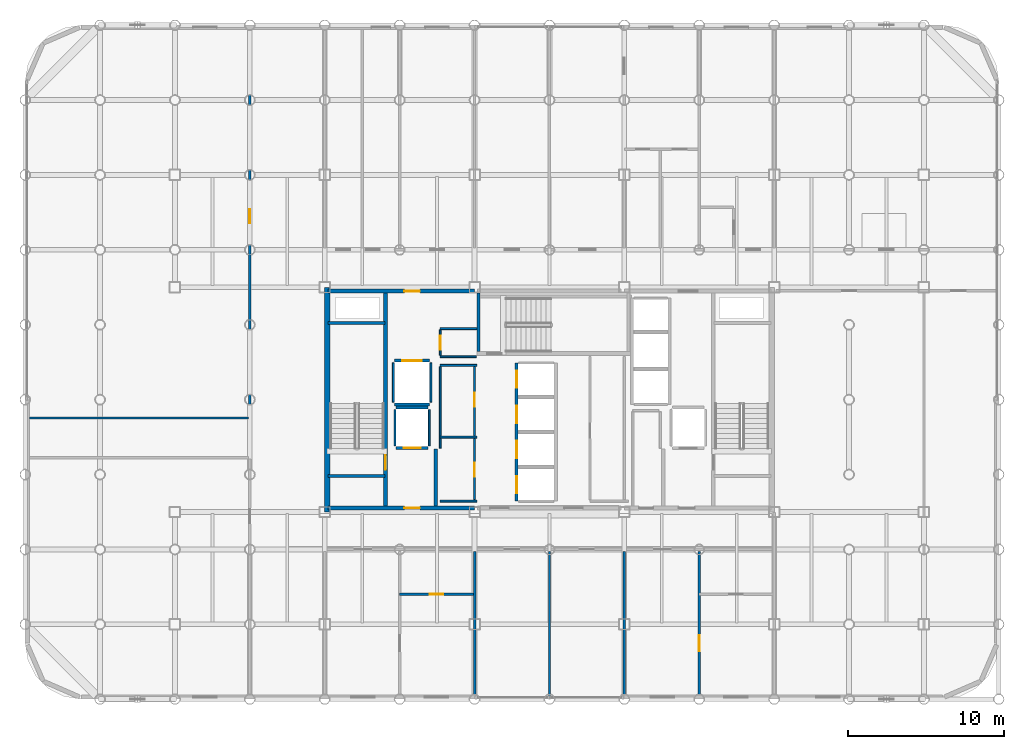
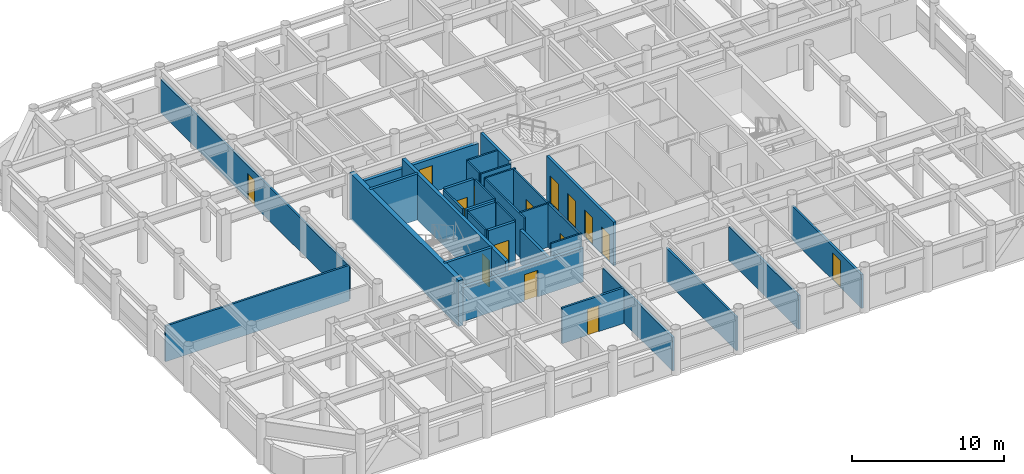
# One storey, part 16 of 21: 32 walls, 15 doors, 15 openings.
"""IFC4 building model written with IfcOpenShell, lengths in metres."""

import ifcopenshell
import ifcopenshell.guid

model = None  # the IFC model being written
_history = None  # IfcOwnerHistory: only IFC2X3 demands one
_inside = {}  # id of a spatial element -> (the spatial element, [elements in it])
_under = {}  # id of a project, library or spatial element -> (it, [spatial elements below it])
_declared = {}  # id of a project -> (the project, [libraries it declares])
_typed = {}  # id of a type object -> (the type object, [elements of that type])
_made_of = {}  # id of a material, layer set ... -> (it, [elements and type objects made of it])


def new_model(schema):
    """Start an empty IFC model of exactly this schema.

    Asked for "IFC4X3", IfcOpenShell would pick the latest addendum, in which some entities
    have other attributes; the version numbers below select the first issue.
    IFC2X3 requires an IfcOwnerHistory on every rooted entity: one is made here for all.
    """
    global model, _history
    if schema == "IFC4X3":
        model = ifcopenshell.file(schema_version=(4, 3, 0, 0))
    else:
        model = ifcopenshell.file(schema=schema)
    _inside.clear()
    _under.clear()
    _declared.clear()
    _typed.clear()
    _made_of.clear()
    _history = None
    if model.schema == "IFC2X3":
        org = make("IfcOrganization", Name="unknown")
        user = make(
            "IfcPersonAndOrganization",
            ThePerson=make("IfcPerson", FamilyName="unknown"),
            TheOrganization=org,
        )
        app = make(
            "IfcApplication",
            ApplicationDeveloper=org,
            Version="unknown",
            ApplicationFullName="unknown",
            ApplicationIdentifier="unknown",
        )
        _history = make(
            "IfcOwnerHistory",
            OwningUser=user,
            OwningApplication=app,
            ChangeAction="ADDED",
            CreationDate=0,
        )
    return model


def make(cls, **values):
    """One entity of the class cls with the attributes given. An attribute that is None is left unset."""
    return model.create_entity(
        cls, **{name: value for name, value in values.items() if value is not None}
    )


def rooted(cls, **values):
    """An entity with a GlobalId (a new one), such as an element, a storey or a relation."""
    return make(cls, GlobalId=ifcopenshell.guid.new(), OwnerHistory=_history, **values)


def si_unit(unit_type, name, prefix=None):
    """IfcSIUnit, for example si_unit("LENGTHUNIT", "METRE", prefix="MILLI")."""
    return make("IfcSIUnit", UnitType=unit_type, Prefix=prefix, Name=name)


def assignment(units):
    """IfcUnitAssignment: the units of a project."""
    return None if units is None else make("IfcUnitAssignment", Units=units)


def point(xyz):
    """IfcCartesianPoint."""
    return None if xyz is None else make("IfcCartesianPoint", Coordinates=xyz)


def direction(xyz):
    """IfcDirection."""
    return None if xyz is None else make("IfcDirection", DirectionRatios=xyz)


def frame(location, z_axis=None, x_axis=None):
    """IfcAxis2Placement3D, a coordinate frame: its origin and axes. An axis left out is left unset."""
    return make(
        "IfcAxis2Placement3D",
        Location=point(location),
        Axis=direction(z_axis),
        RefDirection=direction(x_axis),
    )


def frame_2d(location, x_axis=None):
    """IfcAxis2Placement2D, a coordinate frame in the plane: its origin and x axis."""
    return make(
        "IfcAxis2Placement2D", Location=point(location), RefDirection=direction(x_axis)
    )


def origin():
    """The frame at (0, 0, 0) with its axes left unset."""
    return frame((0.0, 0.0, 0.0))


def place(relative_to, where):
    """IfcLocalPlacement: puts the frame where relative to a parent placement (None: the world)."""
    return make(
        "IfcLocalPlacement", PlacementRelTo=relative_to, RelativePlacement=where
    )


def context(
    kind, dimensions, precision=None, world=None, true_north=None, identifier=None
):
    """IfcGeometricRepresentationContext, for example the 3D "Model" context."""
    return make(
        "IfcGeometricRepresentationContext",
        ContextIdentifier=identifier,
        ContextType=kind,
        CoordinateSpaceDimension=dimensions,
        Precision=precision,
        WorldCoordinateSystem=world,
        TrueNorth=true_north,
    )


def subcontext(parent, identifier, kind, view, scale=None):
    """IfcGeometricRepresentationSubContext, for example "Body" below "Model"."""
    return make(
        "IfcGeometricRepresentationSubContext",
        ContextIdentifier=identifier,
        ContextType=kind,
        ParentContext=parent,
        TargetScale=scale,
        TargetView=view,
    )


def project(units=None, contexts=None):
    """IfcProject with its units and contexts."""
    return rooted(
        "IfcProject",
        Name="project",
        RepresentationContexts=contexts,
        UnitsInContext=assignment(units),
    )


def spatial(cls, under=None, at=None, **own):
    """A site, building, storey or space (cls), placed at a placement, below another one or the project."""
    s = rooted(cls, ObjectPlacement=at, **own)
    if under is not None:
        _under.setdefault(under.id(), (under, []))[1].append(s)
    return s


def profile(cls, at=None, kind="AREA", **sizes):
    """A parametric profile (cls). Its sizes go by their IFC names, for example OverallWidth=200.0."""
    return make(cls, ProfileType=kind, Position=at, **sizes)


def rectangle(**sizes):
    """IfcRectangleProfileDef."""
    return profile("IfcRectangleProfileDef", **sizes)


def extrude(swept, where, along, depth):
    """IfcExtrudedAreaSolid: the profile swept, set in the frame where, extruded along a direction by depth."""
    return make(
        "IfcExtrudedAreaSolid",
        SweptArea=swept,
        Position=where,
        ExtrudedDirection=direction(along),
        Depth=depth,
    )


def shape(context_of_items, identifier, shape_type, items):
    """IfcShapeRepresentation: the items that make up one representation, for example the "Body"."""
    return make(
        "IfcShapeRepresentation",
        ContextOfItems=context_of_items,
        RepresentationIdentifier=identifier,
        RepresentationType=shape_type,
        Items=items,
    )


def material(Name=None, Category=None):
    """IfcMaterial."""
    return make("IfcMaterial", Name=Name, Category=Category)


def layer(
    of_material, thickness, ventilated=None, Name=None, Category=None, Priority=None
):
    """IfcMaterialLayer: one layer of a wall or slab, of a material (None: an air gap)."""
    return make(
        "IfcMaterialLayer",
        Material=of_material,
        LayerThickness=thickness,
        IsVentilated=ventilated,
        Name=Name,
        Category=Category,
        Priority=Priority,
    )


def layer_set(layers, Name=None):
    """IfcMaterialLayerSet."""
    return make("IfcMaterialLayerSet", MaterialLayers=layers, LayerSetName=Name)


def made_of(thing, what):
    """Note that an element or type object is made of a material, layer set ...; save() writes the relation."""
    if what is not None:
        _made_of.setdefault(what.id(), (what, []))[1].append(thing)
    return thing


def type_object(cls, material=None, **own):
    """A type object (cls), such as IfcWallType, which elements share."""
    return made_of(rooted(cls, **own), material)


def element(
    cls,
    number,
    at=None,
    inside=None,
    cuts=None,
    type_object=None,
    material=None,
    context=None,
    identifier="Body",
    shape_type=None,
    held_by="IfcProductDefinitionShape",
    body=None,
    shapes=None,
    **own,
):
    """One element of the class cls, such as IfcWall. Its Tag is "e" and its number.

    at: its placement. inside: the storey or other place that contains it. cuts: it is an
    opening in that element (IfcRelVoidsElement). A single representation is given by context,
    identifier, shape_type and body (its items); several are given by shapes. held_by: the class
    of the entity that holds the representations. save() writes the other relations.
    """
    e = rooted(cls, Tag="e%d" % number, ObjectPlacement=at, **own)
    if body is not None:
        shapes = [shape(context, identifier, shape_type, body)]
    if shapes is not None:
        e.Representation = make(held_by, Representations=shapes)
    if inside is not None:
        _inside.setdefault(inside.id(), (inside, []))[1].append(e)
    if cuts is not None:
        rooted(
            "IfcRelVoidsElement", RelatingBuildingElement=cuts, RelatedOpeningElement=e
        )
    if type_object is not None:
        _typed.setdefault(type_object.id(), (type_object, []))[1].append(e)
    return made_of(e, material)


def fill(opening, filler):
    """IfcRelFillsElement: the door or window that sits in an opening."""
    return rooted(
        "IfcRelFillsElement",
        RelatingOpeningElement=opening,
        RelatedBuildingElement=filler,
    )


def aggregate(whole, parts):
    """IfcRelAggregates: a whole, such as a stair, and the parts it consists of."""
    return rooted("IfcRelAggregates", RelatingObject=whole, RelatedObjects=parts)


def save(model, path):
    """Write the relations noted so far, then the file.

    IfcRelAggregates (storeys below a building ...), IfcRelContainedInSpatialStructure (elements
    in a storey), IfcRelDefinesByType, IfcRelAssociatesMaterial and IfcRelDeclares: one each for
    every whole, place, type object, material and project.
    """
    for whole, parts in _under.values():
        aggregate(whole, parts)
    for where, things in _inside.values():
        rooted(
            "IfcRelContainedInSpatialStructure",
            RelatedElements=things,
            RelatingStructure=where,
        )
    for kind, things in _typed.values():
        rooted("IfcRelDefinesByType", RelatedObjects=things, RelatingType=kind)
    for what, things in _made_of.values():
        rooted("IfcRelAssociatesMaterial", RelatedObjects=things, RelatingMaterial=what)
    for by, libraries in _declared.values():
        rooted("IfcRelDeclares", RelatingContext=by, RelatedDefinitions=libraries)
    model.write(path)


model = new_model("IFC4")

# Units and contexts
model_context = context("Model", 3, precision=1e-05, world=origin(), true_north=direction((0.0, 1.0)))
body_context = subcontext(model_context, "Body", "Model", "MODEL_VIEW")
ifc_project = project(units=[si_unit("LENGTHUNIT", "METRE"), si_unit("AREAUNIT", "SQUARE_METRE"), si_unit("VOLUMEUNIT", "CUBIC_METRE"), si_unit("PLANEANGLEUNIT", "RADIAN"), si_unit("MASSUNIT", "GRAM", prefix="KILO")], contexts=[model_context])

# Site, building, storey
site_placement = place(None, origin())
site = spatial("IfcSite", under=ifc_project, at=site_placement, CompositionType="ELEMENT")
building_placement = place(site_placement, origin())
building = spatial("IfcBuilding", under=site, at=building_placement, Name="Kallvorn Hotel Tower", CompositionType="ELEMENT")
storey_placement = place(building_placement, frame((0.0, 0.0, 139.60009765625)))
storey = spatial("IfcBuildingStorey", under=building, at=storey_placement, Name="L34", CompositionType="ELEMENT", Elevation=139.60009765625)

# Wall
ifc_material_1 = material(Name="Concrete C50/60", Category="concrete")
ifc_layer_1 = layer(ifc_material_1, 0.35009765625)
ifc_layer_set_1 = layer_set([ifc_layer_1], Name="WL_CORE_350")
wall_type_1 = type_object("IfcWallType", Name="WL_CORE_350", PredefinedType="SHEAR", material=ifc_layer_set_1)
wall_1_placement = place(storey_placement, frame((-14.239990234375, -7.199951171875, -0.18017578125), z_axis=(0.0, 0.0, 1.0), x_axis=(0.0, 1.0, 0.0)))
element("IfcWall", 1, at=wall_1_placement, inside=storey, type_object=wall_type_1, Name="L34 Core West Shear Wall", PredefinedType="SHEAR", context=body_context, shape_type="SweptSolid", body=[
    extrude(rectangle(XDim=14.39990234375, YDim=0.35009765625, at=frame_2d((7.199951171875, 0.0))), origin(), (0.0, 0.0, 1.0), 3.7001953125),
])

# Wall, opening, door
ifc_material_2 = material(Name="Fire-rated double-layer acoustic gypsum drywall EI 60")
ifc_layer_2 = layer(ifc_material_2, 0.159912109375)
ifc_layer_set_2 = layer_set([ifc_layer_2], Name="WL_DEMISE_160")
wall_type_2 = type_object("IfcWallType", Name="WL_DEMISE_160", PredefinedType="PARTITIONING", material=ifc_layer_set_2)
wall_2_placement = place(storey_placement, frame((-9.60009765625, -12.469970703125, 0.0), z_axis=(0.0, 0.0, 1.0), x_axis=(1.0, 0.0, 0.0)))
wall_2 = element("IfcWall", 2, at=wall_2_placement, inside=storey, type_object=wall_type_2, Name="L34 Suite 3401 Executive Bedroom Partition", PredefinedType="PARTITIONING", context=body_context, shape_type="SweptSolid", body=[
    extrude(rectangle(XDim=4.72021484375, YDim=0.159912109375, at=frame_2d((2.360107421875, 0.0))), origin(), (0.0, 0.0, 1.0), 2.869873046875),
])
opening_1_placement = place(wall_2_placement, frame((1.929931640625, 0.0, 0.0)))
opening_1 = element("IfcOpeningElement", 3, at=opening_1_placement, cuts=wall_2, Name="Opening BD-I", PredefinedType="OPENING", context=body_context, shape_type="SweptSolid", body=[
    extrude(rectangle(XDim=0.860107421875, YDim=2.10009765625, at=frame_2d((0.43017578125, 1.050048828125))), frame((0.0, 0.094970703125, 0.0), z_axis=(0.0, -1.0, 0.0), x_axis=(1.0, 0.0, 0.0)), (0.0, 0.0, 1.0), 0.18994140625),
])
ifc_material_3 = material(Name="Solid-core walnut veneer fire-rated timber door leaf", Category="wood")
door_type_1 = type_object("IfcDoorType", Name="DR_BATH_860x2100", OperationType="NOTDEFINED", PredefinedType="DOOR", material=ifc_material_3)
door_1_placement = place(opening_1_placement, origin())
door_1 = element("IfcDoor", 4, at=door_1_placement, inside=storey, type_object=door_type_1, Name="L34 Suite 3401 En-Suite Bathroom Door", OperationType="SINGLE_SWING_RIGHT", OverallHeight=2.10009765625, OverallWidth=0.860107421875, PredefinedType="DOOR", context=body_context, shape_type="SweptSolid", body=[
    extrude(rectangle(XDim=0.860107421875, YDim=2.10009765625, at=frame_2d((0.43017578125, 1.050048828125))), frame((0.0, 0.02490234375, 0.0), z_axis=(0.0, -1.0, 0.0), x_axis=(1.0, 0.0, 0.0)), (0.0, 0.0, 1.0), 0.050048828125),
])
fill(opening_1, door_1)

# Walls
for number, where, z_axis, x_axis, name in (
    (5, (-4.800048828125, -18.909912109375, 0.0), (0.0, 0.0, 1.0), (0.0, 1.0, 0.0), "L34 Suite 3401 Executive Bedroom Partition"),
    (6, (4.800048828125, -18.909912109375, 0.0), (0.0, 0.0, 1.0), (0.0, 1.0, 0.0), "L34 Suite 3402 Executive Living Salon Partition"),
):
    element("IfcWall", number, at=place(storey_placement, frame(where, z_axis=z_axis, x_axis=x_axis)), inside=storey, type_object=wall_type_2, Name=name, PredefinedType="PARTITIONING", context=body_context, shape_type="SweptSolid", body=[
        extrude(rectangle(XDim=9.18994140625, YDim=0.159912109375, at=frame_2d((4.594970703125, 0.0))), origin(), (0.0, 0.0, 1.0), 2.719970703125),
    ])

# Wall, opening, door
wall_3_placement = place(storey_placement, frame((9.60009765625, -18.909912109375, 0.0), z_axis=(0.0, 0.0, 1.0), x_axis=(0.0, 1.0, 0.0)))
wall_3 = element("IfcWall", 7, at=wall_3_placement, inside=storey, type_object=wall_type_2, Name="L34 Suite 3402 Executive Bedroom Partition", PredefinedType="PARTITIONING", context=body_context, shape_type="SweptSolid", body=[
    extrude(rectangle(XDim=9.18994140625, YDim=0.159912109375, at=frame_2d((4.594970703125, 0.0))), origin(), (0.0, 0.0, 1.0), 2.719970703125),
])
opening_2_placement = place(wall_3_placement, frame((2.77490234375, 0.0, 0.0)))
opening_2 = element("IfcOpeningElement", 8, at=opening_2_placement, cuts=wall_3, Name="Opening GD2", PredefinedType="OPENING", context=body_context, shape_type="SweptSolid", body=[
    extrude(rectangle(XDim=1.050048828125, YDim=2.199951171875, at=frame_2d((0.52490234375, 1.10009765625))), frame((0.0, 0.094970703125, 0.0), z_axis=(0.0, -1.0, 0.0), x_axis=(1.0, 0.0, 0.0)), (0.0, 0.0, 1.0), 0.18994140625),
])
ifc_material_4 = material(Name="Solid-core walnut veneer fire-rated timber door leaf", Category="wood")
door_type_2 = type_object("IfcDoorType", Name="DR_SUITE_1050x2200", OperationType="NOTDEFINED", PredefinedType="DOOR", material=ifc_material_4)
door_2_placement = place(opening_2_placement, origin())
door_2 = element("IfcDoor", 9, at=door_2_placement, inside=storey, type_object=door_type_2, Name="L34 Suite 3402 Executive Bedroom Door", OperationType="SINGLE_SWING_LEFT", OverallHeight=2.199951171875, OverallWidth=1.050048828125, PredefinedType="DOOR", context=body_context, shape_type="SweptSolid", body=[
    extrude(rectangle(XDim=1.050048828125, YDim=2.199951171875, at=frame_2d((0.52490234375, 1.10009765625))), frame((0.0, 0.02490234375, 0.0), z_axis=(0.0, -1.0, 0.0), x_axis=(1.0, 0.0, 0.0)), (0.0, 0.0, 1.0), 0.050048828125),
])
fill(opening_2, door_2)

# Walls
ifc_material_5 = material(Name="Concrete C40/50", Category="concrete")
ifc_layer_3 = layer(ifc_material_5, 0.219970703125)
ifc_layer_set_3 = layer_set([ifc_layer_3], Name="WL_FFL_220")
wall_type_3 = type_object("IfcWallType", Name="WL_FFL_220", PredefinedType="SOLIDWALL", material=ifc_layer_set_3)
wall_4_placement = place(storey_placement, frame((-7.300048828125, -6.820068359375, 0.0), z_axis=(0.0, 0.0, 1.0), x_axis=(0.0, 1.0, 0.0)))
element("IfcWall", 10, at=wall_4_placement, inside=storey, type_object=wall_type_3, Name="L34 Firefighting Lobby West Divider Wall", PredefinedType="SOLIDWALL", context=body_context, shape_type="SweptSolid", body=[
    extrude(rectangle(XDim=3.670166015625, YDim=0.219970703125, at=frame_2d((1.8349609375, 0.0))), origin(), (0.0, 0.0, 1.0), 2.719970703125),
])
ifc_material_6 = material(Name="Concrete C40/50", Category="concrete")
ifc_layer_4 = layer(ifc_material_6, 0.199951171875)
ifc_layer_set_4 = layer_set([ifc_layer_4], Name="WL_HOIST_200")
wall_type_4 = type_object("IfcWallType", Name="WL_HOIST_200", PredefinedType="SOLIDWALL", material=ifc_layer_set_4)
for number, where, z_axis, x_axis, name in (
    (11, (-14.199951171875, -4.89990234375, -0.18017578125), (0.0, 0.0, 1.0), (1.0, 0.0, 0.0), "L34 Stair ST1 South Wall"),
    (12, (-14.199951171875, 4.89990234375, -0.18017578125), (0.0, 0.0, 1.0), (1.0, 0.0, 0.0), "L34 Stair ST1 North Wall"),
):
    element("IfcWall", number, at=place(storey_placement, frame(where, z_axis=z_axis, x_axis=x_axis)), inside=storey, type_object=wall_type_4, Name=name, PredefinedType="SOLIDWALL", context=body_context, shape_type="SweptSolid", body=[
        extrude(rectangle(XDim=3.64990234375, YDim=0.199951171875, at=frame_2d((1.824951171875, 0.0))), origin(), (0.0, 0.0, 1.0), 3.7001953125),
    ])
wall_5_placement = place(storey_placement, frame((-4.550048828125, 3.080078125, -0.18017578125), z_axis=(0.0, 0.0, 1.0), x_axis=(0.0, 1.0, 0.0)))
element("IfcWall", 13, at=wall_5_placement, inside=storey, type_object=wall_type_4, Name="L34 Stair ST3 West Wall", PredefinedType="SOLIDWALL", context=body_context, shape_type="SweptSolid", body=[
    extrude(rectangle(XDim=3.739990234375, YDim=0.199951171875, at=frame_2d((1.8701171875, 0.0))), origin(), (0.0, 0.0, 1.0), 3.7001953125),
])

# Wall, openings, doors
wall_6_placement = place(storey_placement, frame((-2.10009765625, -6.5, 0.0), z_axis=(0.0, 0.0, 1.0), x_axis=(0.0, 1.0, 0.0)))
wall_6 = element("IfcWall", 14, at=wall_6_placement, inside=storey, type_object=wall_type_4, Name="L34 Lift Bank B2 Landing Wall", PredefinedType="SOLIDWALL", context=body_context, shape_type="SweptSolid", body=[
    extrude(rectangle(XDim=8.85009765625, YDim=0.199951171875, at=frame_2d((4.425048828125, 0.0))), origin(), (0.0, 0.0, 1.0), 3.52001953125),
])
opening_3_placement = place(wall_6_placement, frame((0.5, 0.0, 0.0)))
opening_3 = element("IfcOpeningElement", 15, at=opening_3_placement, cuts=wall_6, Name="Opening LD-PL-05", PredefinedType="OPENING", context=body_context, shape_type="SweptSolid", body=[
    extrude(rectangle(XDim=1.10009765625, YDim=2.199951171875, at=frame_2d((0.550048828125, 1.10009765625))), frame((0.0, 0.114990234375, 0.0), z_axis=(0.0, -1.0, 0.0), x_axis=(1.0, 0.0, 0.0)), (0.0, 0.0, 1.0), 0.22998046875),
])
opening_4_placement = place(wall_6_placement, frame((2.75, 0.0, 0.0)))
opening_4 = element("IfcOpeningElement", 16, at=opening_4_placement, cuts=wall_6, Name="Opening LD-PL-06", PredefinedType="OPENING", context=body_context, shape_type="SweptSolid", body=[
    extrude(rectangle(XDim=1.10009765625, YDim=2.199951171875, at=frame_2d((0.550048828125, 1.10009765625))), frame((0.0, 0.114990234375, 0.0), z_axis=(0.0, -1.0, 0.0), x_axis=(1.0, 0.0, 0.0)), (0.0, 0.0, 1.0), 0.22998046875),
])
opening_5_placement = place(wall_6_placement, frame((5.0, 0.0, 0.0)))
opening_5 = element("IfcOpeningElement", 17, at=opening_5_placement, cuts=wall_6, Name="Opening LD-PL-07", PredefinedType="OPENING", context=body_context, shape_type="SweptSolid", body=[
    extrude(rectangle(XDim=1.10009765625, YDim=2.199951171875, at=frame_2d((0.550048828125, 1.10009765625))), frame((0.0, 0.114990234375, 0.0), z_axis=(0.0, -1.0, 0.0), x_axis=(1.0, 0.0, 0.0)), (0.0, 0.0, 1.0), 0.22998046875),
])
opening_6_placement = place(wall_6_placement, frame((7.25, 0.0, 0.0)))
opening_6 = element("IfcOpeningElement", 18, at=opening_6_placement, cuts=wall_6, Name="Opening LD-PL-08", PredefinedType="OPENING", context=body_context, shape_type="SweptSolid", body=[
    extrude(rectangle(XDim=1.10009765625, YDim=2.199951171875, at=frame_2d((0.550048828125, 1.10009765625))), frame((0.0, 0.114990234375, 0.0), z_axis=(0.0, -1.0, 0.0), x_axis=(1.0, 0.0, 0.0)), (0.0, 0.0, 1.0), 0.22998046875),
])
ifc_material_7 = material(Name="Brushed stainless-steel automatic sliding lift landing door", Category="steel")
door_type_3 = type_object("IfcDoorType", Name="LD_PASS_1100x2200", OperationType="SLIDING_TO_LEFT", PredefinedType="DOOR", material=ifc_material_7)
door_3_placement = place(opening_3_placement, origin())
door_3 = element("IfcDoor", 19, at=door_3_placement, inside=storey, type_object=door_type_3, Name="L34 Lift Landing Sliding Door LD-PL-05", OperationType="SLIDING_TO_LEFT", OverallHeight=2.199951171875, OverallWidth=1.10009765625, PredefinedType="DOOR", context=body_context, shape_type="SweptSolid", body=[
    extrude(rectangle(XDim=1.10009765625, YDim=2.199951171875, at=frame_2d((0.550048828125, 1.10009765625))), frame((0.0, 0.02490234375, 0.0), z_axis=(0.0, -1.0, 0.0), x_axis=(1.0, 0.0, 0.0)), (0.0, 0.0, 1.0), 0.050048828125),
])
fill(opening_3, door_3)
door_4_placement = place(opening_4_placement, origin())
door_4 = element("IfcDoor", 20, at=door_4_placement, inside=storey, type_object=door_type_3, Name="L34 Lift Landing Sliding Door LD-PL-06", OperationType="SLIDING_TO_LEFT", OverallHeight=2.199951171875, OverallWidth=1.10009765625, PredefinedType="DOOR", context=body_context, shape_type="SweptSolid", body=[
    extrude(rectangle(XDim=1.10009765625, YDim=2.199951171875, at=frame_2d((0.550048828125, 1.10009765625))), frame((0.0, 0.02490234375, 0.0), z_axis=(0.0, -1.0, 0.0), x_axis=(1.0, 0.0, 0.0)), (0.0, 0.0, 1.0), 0.050048828125),
])
fill(opening_4, door_4)
door_5_placement = place(opening_5_placement, origin())
door_5 = element("IfcDoor", 21, at=door_5_placement, inside=storey, type_object=door_type_3, Name="L34 Lift Landing Sliding Door LD-PL-07", OperationType="SLIDING_TO_LEFT", OverallHeight=2.199951171875, OverallWidth=1.10009765625, PredefinedType="DOOR", context=body_context, shape_type="SweptSolid", body=[
    extrude(rectangle(XDim=1.10009765625, YDim=2.199951171875, at=frame_2d((0.550048828125, 1.10009765625))), frame((0.0, 0.02490234375, 0.0), z_axis=(0.0, -1.0, 0.0), x_axis=(1.0, 0.0, 0.0)), (0.0, 0.0, 1.0), 0.050048828125),
])
fill(opening_5, door_5)
door_6_placement = place(opening_6_placement, origin())
door_6 = element("IfcDoor", 22, at=door_6_placement, inside=storey, type_object=door_type_3, Name="L34 Lift Landing Sliding Door LD-PL-08", OperationType="SLIDING_TO_LEFT", OverallHeight=2.199951171875, OverallWidth=1.10009765625, PredefinedType="DOOR", context=body_context, shape_type="SweptSolid", body=[
    extrude(rectangle(XDim=1.10009765625, YDim=2.199951171875, at=frame_2d((0.550048828125, 1.10009765625))), frame((0.0, 0.02490234375, 0.0), z_axis=(0.0, -1.0, 0.0), x_axis=(1.0, 0.0, 0.0)), (0.0, 0.0, 1.0), 0.050048828125),
])
fill(opening_6, door_6)

# Wall, opening, door
wall_7_placement = place(storey_placement, frame((-9.820068359375, -3.10009765625, 0.0), z_axis=(0.0, 0.0, 1.0), x_axis=(1.0, 0.0, 0.0)))
wall_7 = element("IfcWall", 23, at=wall_7_placement, inside=storey, type_object=wall_type_4, Name="L34 FL-1 Landing Wall", PredefinedType="SOLIDWALL", context=body_context, shape_type="SweptSolid", body=[
    extrude(rectangle(XDim=2.0400390625, YDim=0.199951171875, at=frame_2d((1.02001953125, 0.0))), origin(), (0.0, 0.0, 1.0), 3.52001953125),
])
opening_7_placement = place(wall_7_placement, frame((0.469970703125, 0.0, 0.0)))
opening_7 = element("IfcOpeningElement", 24, at=opening_7_placement, cuts=wall_7, Name="Opening LD-FL-1", PredefinedType="OPENING", context=body_context, shape_type="SweptSolid", body=[
    extrude(rectangle(XDim=1.10009765625, YDim=2.199951171875, at=frame_2d((0.550048828125, 1.10009765625))), frame((0.0, 0.114990234375, 0.0), z_axis=(0.0, -1.0, 0.0), x_axis=(1.0, 0.0, 0.0)), (0.0, 0.0, 1.0), 0.22998046875),
])
door_7_placement = place(opening_7_placement, origin())
door_7 = element("IfcDoor", 25, at=door_7_placement, inside=storey, type_object=door_type_3, Name="L34 Lift Landing Sliding Door LD-FL-1", OperationType="SLIDING_TO_LEFT", OverallHeight=2.199951171875, OverallWidth=1.10009765625, PredefinedType="DOOR", context=body_context, shape_type="SweptSolid", body=[
    extrude(rectangle(XDim=1.10009765625, YDim=2.199951171875, at=frame_2d((0.550048828125, 1.10009765625))), frame((0.0, 0.02490234375, 0.0), z_axis=(0.0, -1.0, 0.0), x_axis=(1.0, 0.0, 0.0)), (0.0, 0.0, 1.0), 0.050048828125),
])
fill(opening_7, door_7)

# Wall
wall_8_placement = place(storey_placement, frame((-9.820068359375, -0.5, 0.0), z_axis=(0.0, 0.0, 1.0), x_axis=(1.0, 0.0, 0.0)))
element("IfcWall", 26, at=wall_8_placement, inside=storey, type_object=wall_type_4, Name="L34 FL-1 Rear Shaft Wall", PredefinedType="SOLIDWALL", context=body_context, shape_type="SweptSolid", body=[
    extrude(rectangle(XDim=2.0400390625, YDim=0.199951171875, at=frame_2d((1.02001953125, 0.0))), origin(), (0.0, 0.0, 1.0), 3.52001953125),
])

# Wall, opening, door
wall_9_placement = place(storey_placement, frame((-9.919921875, 2.5, 0.0), z_axis=(0.0, 0.0, 1.0), x_axis=(1.0, 0.0, 0.0)))
wall_9 = element("IfcWall", 27, at=wall_9_placement, inside=storey, type_object=wall_type_4, Name="L34 SV-01 Landing Wall", PredefinedType="SOLIDWALL", context=body_context, shape_type="SweptSolid", body=[
    extrude(rectangle(XDim=2.239990234375, YDim=0.199951171875, at=frame_2d((1.1201171875, 0.0))), origin(), (0.0, 0.0, 1.0), 3.52001953125),
])
opening_8_placement = place(wall_9_placement, frame((0.4951171875, 0.0, 0.0)))
opening_8 = element("IfcOpeningElement", 28, at=opening_8_placement, cuts=wall_9, Name="Opening LD-SV-01", PredefinedType="OPENING", context=body_context, shape_type="SweptSolid", body=[
    extrude(rectangle(XDim=1.25, YDim=2.25, at=frame_2d((0.625, 1.125))), frame((0.0, 0.114990234375, 0.0), z_axis=(0.0, -1.0, 0.0), x_axis=(1.0, 0.0, 0.0)), (0.0, 0.0, 1.0), 0.22998046875),
])
ifc_material_8 = material(Name="Brushed stainless-steel automatic sliding lift landing door", Category="steel")
door_type_4 = type_object("IfcDoorType", Name="LD_SERV_1250x2250", OperationType="SLIDING_TO_LEFT", PredefinedType="DOOR", material=ifc_material_8)
door_8_placement = place(opening_8_placement, origin())
door_8 = element("IfcDoor", 29, at=door_8_placement, inside=storey, type_object=door_type_4, Name="L34 Lift Landing Sliding Door LD-SV-01", OperationType="SLIDING_TO_LEFT", OverallHeight=2.25, OverallWidth=1.25, PredefinedType="DOOR", context=body_context, shape_type="SweptSolid", body=[
    extrude(rectangle(XDim=1.25, YDim=2.25, at=frame_2d((0.625, 1.125))), frame((0.0, 0.02490234375, 0.0), z_axis=(0.0, -1.0, 0.0), x_axis=(1.0, 0.0, 0.0)), (0.0, 0.0, 1.0), 0.050048828125),
])
fill(opening_8, door_8)

# Walls
wall_10_placement = place(storey_placement, frame((-9.919921875, -0.300048828125, 0.0), z_axis=(0.0, 0.0, 1.0), x_axis=(1.0, 0.0, 0.0)))
element("IfcWall", 30, at=wall_10_placement, inside=storey, type_object=wall_type_4, Name="L34 SV-01 Rear Shaft Wall", PredefinedType="SOLIDWALL", context=body_context, shape_type="SweptSolid", body=[
    extrude(rectangle(XDim=2.239990234375, YDim=0.199951171875, at=frame_2d((1.1201171875, 0.0))), origin(), (0.0, 0.0, 1.0), 3.52001953125),
])
ifc_material_9 = material(Name="Fire-rated double-layer acoustic gypsum drywall EI 60")
ifc_layer_5 = layer(ifc_material_9, 0.1201171875)
ifc_layer_set_5 = layer_set([ifc_layer_5], Name="WL_INT_120")
wall_type_5 = type_object("IfcWallType", Name="WL_INT_120", PredefinedType="PARTITIONING", material=ifc_layer_set_5)
for number, where, z_axis, x_axis, name in (
    (31, (-9.89990234375, -2.9599609375, 0.0), (0.0, 0.0, 1.0), (0.0, 1.0, 0.0), "L34 FL-1 West Shaft Wall"),
    (32, (-7.699951171875, -2.9599609375, 0.0), (0.0, 0.0, 1.0), (0.0, 1.0, 0.0), "L34 FL-1 East Shaft Wall"),
):
    element("IfcWall", number, at=place(storey_placement, frame(where, z_axis=z_axis, x_axis=x_axis)), inside=storey, type_object=wall_type_5, Name=name, PredefinedType="PARTITIONING", context=body_context, shape_type="SweptSolid", body=[
        extrude(rectangle(XDim=2.320068359375, YDim=0.1201171875, at=frame_2d((1.16015625, 0.0))), origin(), (0.0, 0.0, 1.0), 3.52001953125),
    ])
for number, where, z_axis, x_axis, name in (
    (33, (-10.0, -0.159912109375, 0.0), (0.0, 0.0, 1.0), (0.0, 1.0, 0.0), "L34 SV-01 West Shaft Wall"),
    (34, (-7.60009765625, -0.159912109375, 0.0), (0.0, 0.0, 1.0), (0.0, 1.0, 0.0), "L34 SV-01 East Shaft Wall"),
):
    element("IfcWall", number, at=place(storey_placement, frame(where, z_axis=z_axis, x_axis=x_axis)), inside=storey, type_object=wall_type_5, Name=name, PredefinedType="PARTITIONING", context=body_context, shape_type="SweptSolid", body=[
        extrude(rectangle(XDim=2.52001953125, YDim=0.1201171875, at=frame_2d((1.260009765625, 0.0))), origin(), (0.0, 0.0, 1.0), 3.52001953125),
    ])
for number, where, z_axis, x_axis, name in (
    (35, (-7.0, -6.5, 0.0), (0.0, 0.0, 1.0), (1.0, 0.0, 0.0), "L34 Recaptured South Minibar Pantry Partition"),
    (36, (-7.0, -2.39990234375, 0.0), (0.0, 0.0, 1.0), (1.0, 0.0, 0.0), "L34 Recaptured Central Linen Store Partition"),
    (37, (-7.0, 2.199951171875, 0.0), (0.0, 0.0, 1.0), (1.0, 0.0, 0.0), "L34 Recaptured Central Linen Store Partition"),
):
    element("IfcWall", number, at=place(storey_placement, frame(where, z_axis=z_axis, x_axis=x_axis)), inside=storey, type_object=wall_type_5, Name=name, PredefinedType="PARTITIONING", context=body_context, shape_type="SweptSolid", body=[
        extrude(rectangle(XDim=2.35009765625, YDim=0.1201171875, at=frame_2d((1.175048828125, 0.0))), origin(), (0.0, 0.0, 1.0), 3.52001953125),
    ])
wall_11_placement = place(storey_placement, frame((-7.0, 2.75, 0.0), z_axis=(0.0, 0.0, 1.0), x_axis=(1.0, 0.0, 0.0)))
element("IfcWall", 38, at=wall_11_placement, inside=storey, type_object=wall_type_5, Name="L34 Recaptured North Valet Closet Partition", PredefinedType="PARTITIONING", context=body_context, shape_type="SweptSolid", body=[
    extrude(rectangle(XDim=2.31005859375, YDim=0.1201171875, at=frame_2d((1.155029296875, 0.0))), origin(), (0.0, 0.0, 1.0), 3.52001953125),
])
wall_12_placement = place(storey_placement, frame((-7.0, 4.550048828125, 0.0), z_axis=(0.0, 0.0, 1.0), x_axis=(1.0, 0.0, 0.0)))
element("IfcWall", 39, at=wall_12_placement, inside=storey, type_object=wall_type_5, Name="L34 Recaptured North Valet Closet Partition", PredefinedType="PARTITIONING", context=body_context, shape_type="SweptSolid", body=[
    extrude(rectangle(XDim=2.35009765625, YDim=0.1201171875, at=frame_2d((1.175048828125, 0.0))), origin(), (0.0, 0.0, 1.0), 3.52001953125),
])
wall_13_placement = place(storey_placement, frame((-7.0, -3.110107421875, 0.0), z_axis=(0.0, 0.0, 1.0), x_axis=(0.0, 1.0, 0.0)))
element("IfcWall", 40, at=wall_13_placement, inside=storey, type_object=wall_type_5, Name="L34 Recaptured South Minibar Pantry Partition", PredefinedType="PARTITIONING", context=body_context, shape_type="SweptSolid", body=[
    extrude(rectangle(XDim=5.22509765625, YDim=0.1201171875, at=frame_2d((2.612548828125, 0.0))), origin(), (0.0, 0.0, 1.0), 3.52001953125),
])

# Wall, opening, door
wall_14_placement = place(storey_placement, frame((-7.0, 2.8349609375, 0.0), z_axis=(0.0, 0.0, 1.0), x_axis=(0.0, 1.0, 0.0)))
wall_14 = element("IfcWall", 41, at=wall_14_placement, inside=storey, type_object=wall_type_5, Name="L34 Recaptured North Valet Closet Partition", PredefinedType="PARTITIONING", context=body_context, shape_type="SweptSolid", body=[
    extrude(rectangle(XDim=1.630126953125, YDim=0.1201171875, at=frame_2d((0.81494140625, 0.0))), origin(), (0.0, 0.0, 1.0), 3.52001953125),
])
opening_9_placement = place(wall_14_placement, frame((0.364990234375, 0.0, 0.0)))
opening_9 = element("IfcOpeningElement", 42, at=opening_9_placement, cuts=wall_14, Name="Opening SVD1", PredefinedType="OPENING", context=body_context, shape_type="SweptSolid", body=[
    extrude(rectangle(XDim=0.89990234375, YDim=2.10009765625, at=frame_2d((0.449951171875, 1.050048828125))), frame((0.0, 0.074951171875, 0.0), z_axis=(0.0, -1.0, 0.0), x_axis=(1.0, 0.0, 0.0)), (0.0, 0.0, 1.0), 0.150146484375),
])
ifc_material_10 = material(Name="Galvanised painted steel fire-rated door assembly", Category="steel")
door_type_5 = type_object("IfcDoorType", Name="DR_SERV_900x2100", OperationType="NOTDEFINED", PredefinedType="DOOR", material=ifc_material_10)
door_9_placement = place(opening_9_placement, origin())
door_9 = element("IfcDoor", 43, at=door_9_placement, inside=storey, type_object=door_type_5, Name="L34 Recaptured North Valet Closet Door", OperationType="SINGLE_SWING_RIGHT", OverallHeight=2.10009765625, OverallWidth=0.89990234375, PredefinedType="DOOR", context=body_context, shape_type="SweptSolid", body=[
    extrude(rectangle(XDim=0.89990234375, YDim=2.10009765625, at=frame_2d((0.449951171875, 1.050048828125))), frame((0.0, 0.02490234375, 0.0), z_axis=(0.0, -1.0, 0.0), x_axis=(1.0, 0.0, 0.0)), (0.0, 0.0, 1.0), 0.050048828125),
])
fill(opening_9, door_9)

# Wall, openings, doors
wall_15_placement = place(storey_placement, frame((-4.800048828125, -6.4150390625, 0.0), z_axis=(0.0, 0.0, 1.0), x_axis=(0.0, 1.0, 0.0)))
wall_15 = element("IfcWall", 44, at=wall_15_placement, inside=storey, type_object=wall_type_5, Name="L34 Recaptured South Minibar Pantry Partition", PredefinedType="PARTITIONING", context=body_context, shape_type="SweptSolid", body=[
    extrude(rectangle(XDim=8.530029296875, YDim=0.1201171875, at=frame_2d((4.26513671875, 0.0))), origin(), (0.0, 0.0, 1.0), 3.52001953125),
])
opening_10_placement = place(wall_15_placement, frame((1.465087890625, 0.0, 0.0)))
opening_10 = element("IfcOpeningElement", 45, at=opening_10_placement, cuts=wall_15, Name="Opening SVD1", PredefinedType="OPENING", context=body_context, shape_type="SweptSolid", body=[
    extrude(rectangle(XDim=0.89990234375, YDim=2.10009765625, at=frame_2d((0.449951171875, 1.050048828125))), frame((0.0, 0.074951171875, 0.0), z_axis=(0.0, -1.0, 0.0), x_axis=(1.0, 0.0, 0.0)), (0.0, 0.0, 1.0), 0.150146484375),
])
opening_11_placement = place(wall_15_placement, frame((5.965087890625, 0.0, 0.0)))
opening_11 = element("IfcOpeningElement", 46, at=opening_11_placement, cuts=wall_15, Name="Opening SVD1", PredefinedType="OPENING", context=body_context, shape_type="SweptSolid", body=[
    extrude(rectangle(XDim=0.89990234375, YDim=2.10009765625, at=frame_2d((0.449951171875, 1.050048828125))), frame((0.0, 0.074951171875, 0.0), z_axis=(0.0, -1.0, 0.0), x_axis=(1.0, 0.0, 0.0)), (0.0, 0.0, 1.0), 0.150146484375),
])
door_10_placement = place(opening_10_placement, origin())
door_10 = element("IfcDoor", 47, at=door_10_placement, inside=storey, type_object=door_type_5, Name="L34 Recaptured South Minibar Pantry Door", OperationType="SINGLE_SWING_LEFT", OverallHeight=2.10009765625, OverallWidth=0.89990234375, PredefinedType="DOOR", context=body_context, shape_type="SweptSolid", body=[
    extrude(rectangle(XDim=0.89990234375, YDim=2.10009765625, at=frame_2d((0.449951171875, 1.050048828125))), frame((0.0, 0.02490234375, 0.0), z_axis=(0.0, -1.0, 0.0), x_axis=(1.0, 0.0, 0.0)), (0.0, 0.0, 1.0), 0.050048828125),
])
fill(opening_10, door_10)
door_11_placement = place(opening_11_placement, origin())
door_11 = element("IfcDoor", 48, at=door_11_placement, inside=storey, type_object=door_type_5, Name="L34 Recaptured Central Linen Store Door", OperationType="SINGLE_SWING_LEFT", OverallHeight=2.10009765625, OverallWidth=0.89990234375, PredefinedType="DOOR", context=body_context, shape_type="SweptSolid", body=[
    extrude(rectangle(XDim=0.89990234375, YDim=2.10009765625, at=frame_2d((0.449951171875, 1.050048828125))), frame((0.0, 0.02490234375, 0.0), z_axis=(0.0, -1.0, 0.0), x_axis=(1.0, 0.0, 0.0)), (0.0, 0.0, 1.0), 0.050048828125),
])
fill(opening_11, door_11)

# Wall
ifc_material_11 = material(Name="Fire-rated double-layer acoustic gypsum drywall EI 60")
ifc_layer_6 = layer(ifc_material_11, 0.14990234375)
ifc_layer_set_6 = layer_set([ifc_layer_6], Name="WL_PART_150")
wall_type_6 = type_object("IfcWallType", Name="WL_PART_150", PredefinedType="PARTITIONING", material=ifc_layer_set_6)
wall_16_placement = place(storey_placement, frame((-33.31005859375, -1.179931640625, 0.0), z_axis=(0.0, 0.0, 1.0), x_axis=(1.0, 0.0, 0.0)))
element("IfcWall", 49, at=wall_16_placement, inside=storey, type_object=wall_type_6, Name="L34 L34 North-West Cordillera Fitness Gymnasium Partition", PredefinedType="PARTITIONING", context=body_context, shape_type="SweptSolid", body=[
    extrude(rectangle(XDim=14.030029296875, YDim=0.14990234375, at=frame_2d((7.01513671875, 0.0))), origin(), (0.0, 0.0, 1.0), 2.869873046875),
])

# Wall, opening, door
wall_17_placement = place(storey_placement, frame((-19.199951171875, -1.094970703125, 0.0), z_axis=(0.0, 0.0, 1.0), x_axis=(0.0, 1.0, 0.0)))
wall_17 = element("IfcWall", 50, at=wall_17_placement, inside=storey, type_object=wall_type_6, Name="L34 L34 North-West Cordillera Fitness Gymnasium Partition", PredefinedType="PARTITIONING", context=body_context, shape_type="SweptSolid", body=[
    extrude(rectangle(XDim=24.804931640625, YDim=0.14990234375, at=frame_2d((12.40234375, 0.0))), origin(), (0.0, 0.0, 1.0), 2.719970703125),
])
opening_12_placement = place(wall_17_placement, frame((12.40185546875, 0.0, 0.0)))
opening_12 = element("IfcOpeningElement", 51, at=opening_12_placement, cuts=wall_17, Name="Opening SVD1", PredefinedType="OPENING", context=body_context, shape_type="SweptSolid", body=[
    extrude(rectangle(XDim=0.89990234375, YDim=2.10009765625, at=frame_2d((0.449951171875, 1.050048828125))), frame((0.0, 0.08984375, 0.0), z_axis=(0.0, -1.0, 0.0), x_axis=(1.0, 0.0, 0.0)), (0.0, 0.0, 1.0), 0.179931640625),
])
door_12_placement = place(opening_12_placement, origin())
door_12 = element("IfcDoor", 52, at=door_12_placement, inside=storey, type_object=door_type_5, Name="L34 L34 North-West Cordillera Fitness Gymnasium Door", OperationType="SINGLE_SWING_LEFT", OverallHeight=2.10009765625, OverallWidth=0.89990234375, PredefinedType="DOOR", context=body_context, shape_type="SweptSolid", body=[
    extrude(rectangle(XDim=0.89990234375, YDim=2.10009765625, at=frame_2d((0.449951171875, 1.050048828125))), frame((0.0, 0.02490234375, 0.0), z_axis=(0.0, -1.0, 0.0), x_axis=(1.0, 0.0, 0.0)), (0.0, 0.0, 1.0), 0.050048828125),
])
fill(opening_12, door_12)

# Wall
wall_18_placement = place(storey_placement, frame((0.0, -18.9951171875, 0.0), z_axis=(0.0, 0.0, 1.0), x_axis=(0.0, 1.0, 0.0)))
element("IfcWall", 53, at=wall_18_placement, inside=storey, type_object=wall_type_6, Name="L34 L34 Executive Co-Working Open-Plan Office 2-1 Partition", PredefinedType="PARTITIONING", context=body_context, shape_type="SweptSolid", body=[
    extrude(rectangle(XDim=9.275146484375, YDim=0.14990234375, at=frame_2d((4.6376953125, 0.0))), origin(), (0.0, 0.0, 1.0), 2.719970703125),
])

# Wall, opening, door
ifc_material_12 = material(Name="Concrete C40/50", Category="concrete")
ifc_layer_7 = layer(ifc_material_12, 0.25)
ifc_layer_set_7 = layer_set([ifc_layer_7], Name="WL_SHAFT_250")
wall_type_7 = type_object("IfcWallType", Name="WL_SHAFT_250", PredefinedType="SOLIDWALL", material=ifc_layer_set_7)
wall_19_placement = place(storey_placement, frame((-14.199951171875, -6.949951171875, 0.0), z_axis=(0.0, 0.0, 1.0), x_axis=(1.0, 0.0, 0.0)))
wall_19 = element("IfcWall", 54, at=wall_19_placement, inside=storey, type_object=wall_type_7, Name="L34 Core South-West Wall", PredefinedType="SOLIDWALL", context=body_context, shape_type="SweptSolid", body=[
    extrude(rectangle(XDim=9.39990234375, YDim=0.25, at=frame_2d((4.699951171875, 0.0))), origin(), (0.0, 0.0, 1.0), 2.719970703125),
])
opening_13_placement = place(wall_19_placement, frame((4.89990234375, 0.0, 0.0)))
opening_13 = element("IfcOpeningElement", 55, at=opening_13_placement, cuts=wall_19, Name="Opening FD1", PredefinedType="OPENING", context=body_context, shape_type="SweptSolid", body=[
    extrude(rectangle(XDim=1.0, YDim=2.14990234375, at=frame_2d((0.5, 1.074951171875))), frame((0.0, 0.139892578125, 0.0), z_axis=(0.0, -1.0, 0.0), x_axis=(1.0, 0.0, 0.0)), (0.0, 0.0, 1.0), 0.280029296875),
])
ifc_material_13 = material(Name="Galvanised painted steel fire-rated door assembly", Category="steel")
door_type_6 = type_object("IfcDoorType", Name="DR_FFL_1000x2150", OperationType="NOTDEFINED", PredefinedType="DOOR", material=ifc_material_13)
door_13_placement = place(opening_13_placement, origin())
door_13 = element("IfcDoor", 56, at=door_13_placement, inside=storey, type_object=door_type_6, Name="L34 Firefighting Lobby West Door", OperationType="SINGLE_SWING_LEFT", OverallHeight=2.14990234375, OverallWidth=1.0, PredefinedType="DOOR", context=body_context, shape_type="SweptSolid", body=[
    extrude(rectangle(XDim=1.0, YDim=2.14990234375, at=frame_2d((0.5, 1.074951171875))), frame((0.0, 0.02490234375, 0.0), z_axis=(0.0, -1.0, 0.0), x_axis=(1.0, 0.0, 0.0)), (0.0, 0.0, 1.0), 0.050048828125),
])
fill(opening_13, door_13)

wall_20_placement = place(storey_placement, frame((-14.199951171875, 6.949951171875, 0.0), z_axis=(0.0, 0.0, 1.0), x_axis=(1.0, 0.0, 0.0)))
wall_20 = element("IfcWall", 57, at=wall_20_placement, inside=storey, type_object=wall_type_7, Name="L34 Core North-West Wall", PredefinedType="SOLIDWALL", context=body_context, shape_type="SweptSolid", body=[
    extrude(rectangle(XDim=9.39990234375, YDim=0.25, at=frame_2d((4.699951171875, 0.0))), origin(), (0.0, 0.0, 1.0), 2.719970703125),
])
opening_14_placement = place(wall_20_placement, frame((4.89990234375, 0.0, 0.0)))
opening_14 = element("IfcOpeningElement", 58, at=opening_14_placement, cuts=wall_20, Name="Opening FD1", PredefinedType="OPENING", context=body_context, shape_type="SweptSolid", body=[
    extrude(rectangle(XDim=1.0, YDim=2.14990234375, at=frame_2d((0.5, 1.074951171875))), frame((0.0, 0.139892578125, 0.0), z_axis=(0.0, -1.0, 0.0), x_axis=(1.0, 0.0, 0.0)), (0.0, 0.0, 1.0), 0.280029296875),
])
door_14_placement = place(opening_14_placement, origin())
door_14 = element("IfcDoor", 59, at=door_14_placement, inside=storey, type_object=door_type_6, Name="L34 Service Lift Lobby Door", OperationType="SINGLE_SWING_LEFT", OverallHeight=2.14990234375, OverallWidth=1.0, PredefinedType="DOOR", context=body_context, shape_type="SweptSolid", body=[
    extrude(rectangle(XDim=1.0, YDim=2.14990234375, at=frame_2d((0.5, 1.074951171875))), frame((0.0, 0.02490234375, 0.0), z_axis=(0.0, -1.0, 0.0), x_axis=(1.0, 0.0, 0.0)), (0.0, 0.0, 1.0), 0.050048828125),
])
fill(opening_14, door_14)

wall_21_placement = place(storey_placement, frame((-10.5, -6.820068359375, -0.18017578125), z_axis=(0.0, 0.0, 1.0), x_axis=(0.0, 1.0, 0.0)))
wall_21 = element("IfcWall", 60, at=wall_21_placement, inside=storey, type_object=wall_type_7, Name="L34 Stair ST1 Shaft Wall", PredefinedType="SOLIDWALL", context=body_context, shape_type="SweptSolid", body=[
    extrude(rectangle(XDim=13.64013671875, YDim=0.25, at=frame_2d((6.820068359375, 0.0))), origin(), (0.0, 0.0, 1.0), 3.7001953125),
])
opening_15_placement = place(wall_21_placement, frame((2.320068359375, 0.0, 0.179931640625)))
opening_15 = element("IfcOpeningElement", 61, at=opening_15_placement, cuts=wall_21, Name="Opening SD1", PredefinedType="OPENING", context=body_context, shape_type="SweptSolid", body=[
    extrude(rectangle(XDim=0.949951171875, YDim=2.14990234375, at=frame_2d((0.47509765625, 1.074951171875))), frame((0.0, 0.139892578125, 0.0), z_axis=(0.0, -1.0, 0.0), x_axis=(1.0, 0.0, 0.0)), (0.0, 0.0, 1.0), 0.280029296875),
])
ifc_material_14 = material(Name="Galvanised painted steel fire-rated door assembly", Category="steel")
door_type_7 = type_object("IfcDoorType", Name="DR_STAIR_950x2150", OperationType="NOTDEFINED", PredefinedType="DOOR", material=ifc_material_14)
door_15_placement = place(opening_15_placement, origin())
door_15 = element("IfcDoor", 62, at=door_15_placement, inside=storey, type_object=door_type_7, Name="L34 Exit Stair ST1 Fire Door", OperationType="SINGLE_SWING_RIGHT", OverallHeight=2.14990234375, OverallWidth=0.949951171875, PredefinedType="DOOR", context=body_context, shape_type="SweptSolid", body=[
    extrude(rectangle(XDim=0.949951171875, YDim=2.14990234375, at=frame_2d((0.47509765625, 1.074951171875))), frame((0.0, 0.02490234375, 0.0), z_axis=(0.0, -1.0, 0.0), x_axis=(1.0, 0.0, 0.0)), (0.0, 0.0, 1.0), 0.050048828125),
])
fill(opening_15, door_15)

save(model, "model.ifc")
